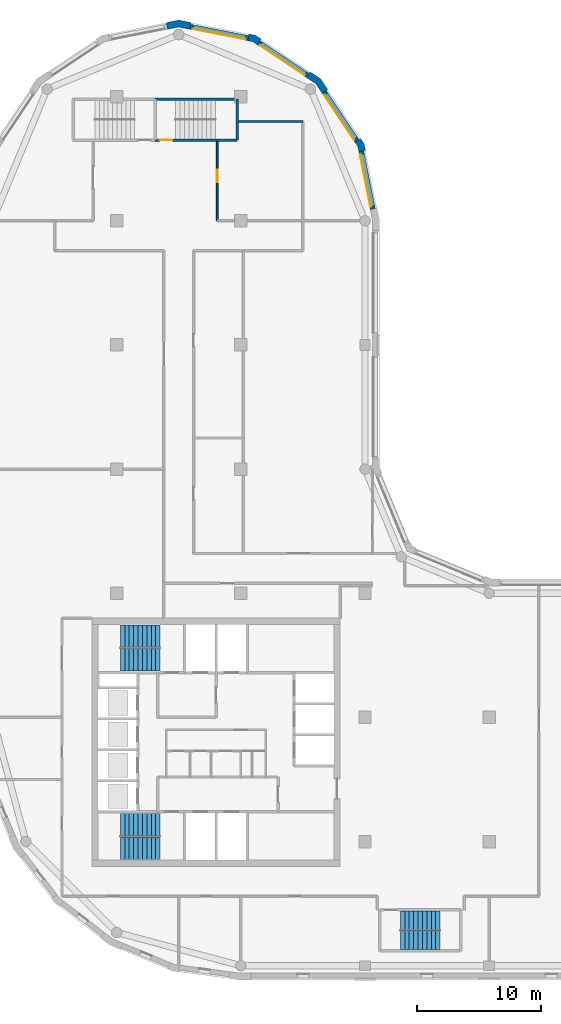
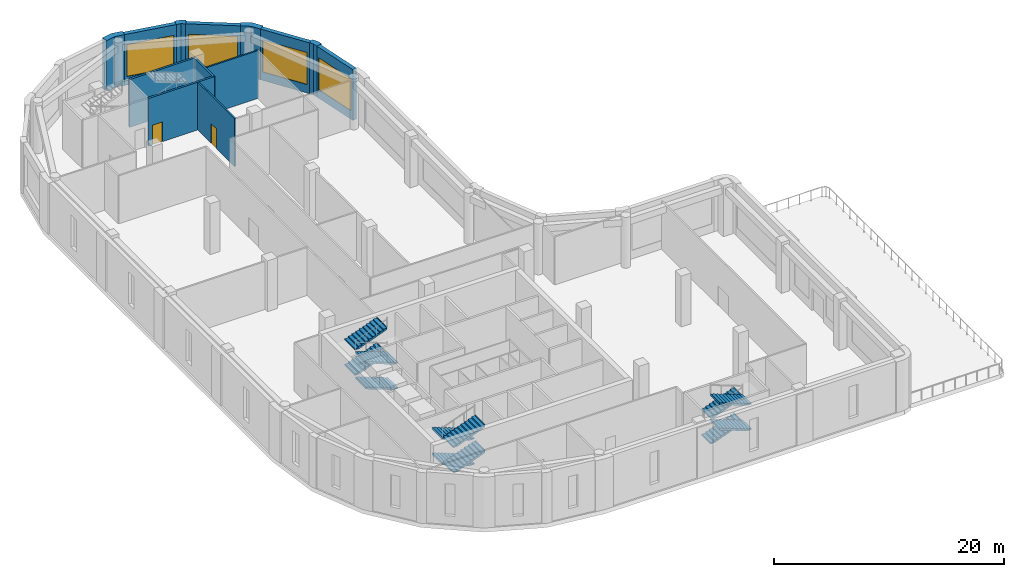
# One storey, part 6 of 9: 13 walls, 12 stair flights, 4 windows, 2 doors, 6 openings, 3 elements without a shape of their own.
"""IFC4 building model written with IfcOpenShell, lengths in metres."""

from ifc_helpers import new_model, si_unit, direction, frame, frame_2d, origin, place, context, subcontext, project, spatial, polyline, rectangle, outline, extrude, material, layer, layer_set, type_object, element, fill, aggregate, save


model = new_model("IFC4")

# Units and contexts
model_context = context("Model", 3, precision=1e-05, world=origin(), true_north=direction((0.0, 1.0)))
body_context = subcontext(model_context, "Body", "Model", "MODEL_VIEW")
ifc_project = project(units=[si_unit("LENGTHUNIT", "METRE"), si_unit("AREAUNIT", "SQUARE_METRE"), si_unit("VOLUMEUNIT", "CUBIC_METRE"), si_unit("PLANEANGLEUNIT", "RADIAN"), si_unit("MASSUNIT", "GRAM", prefix="KILO")], contexts=[model_context])

# Site, building, storey
site_placement = place(None, origin())
site = spatial("IfcSite", under=ifc_project, at=site_placement, CompositionType="ELEMENT")
building_placement = place(site_placement, origin())
building = spatial("IfcBuilding", under=site, at=building_placement, Name="Qaws Garden Tower", CompositionType="ELEMENT")
storey_placement = place(building_placement, frame((0.0, 0.0, 246.0)))
storey = spatial("IfcBuildingStorey", under=building, at=storey_placement, Name="L59", CompositionType="ELEMENT", Elevation=246.0)

# Wall, opening, window
ifc_material_1 = material(Name="Clay facing brick masonry", Category="masonry")
ifc_layer_1 = layer(ifc_material_1, 0.39990234375)
ifc_layer_set_1 = layer_set([ifc_layer_1], Name="Clay facing brick masonry")
wall_type_1 = type_object("IfcWallType", Name="Brick infill wall 400", PredefinedType="SOLIDWALL", material=ifc_layer_set_1)
wall_1_placement = place(storey_placement, frame((30.628662109375, 60.940673828125, 0.0), z_axis=(0.0, 0.0, 1.0), x_axis=(-0.195098533057, 0.98078364709, 0.0)))
wall_1 = element("IfcWall", 1, at=wall_1_placement, inside=storey, type_object=wall_type_1, Name="E-L59-infill-11", PredefinedType="SOLIDWALL", context=body_context, shape_type="SweptSolid", body=[
    extrude(rectangle(XDim=4.752685546875, YDim=0.39990234375, at=frame_2d((2.37646484375, 0.0))), origin(), (0.0, 0.0, 1.0), 5.39990234375),
])
opening_1_placement = place(wall_1_placement, frame((0.226318359375, 0.0, 0.89990234375)))
opening_1 = element("IfcOpeningElement", 2, at=opening_1_placement, cuts=wall_1, Name="Opening W07", PredefinedType="OPENING", context=body_context, shape_type="SweptSolid", body=[
    extrude(rectangle(XDim=4.300048828125, YDim=3.39990234375, at=frame_2d((2.14990234375, 1.699951171875))), frame((0.0, 0.2099609375, 0.0), z_axis=(0.0, -1.0, 0.0), x_axis=(1.0, 0.0, 0.0)), (0.0, 0.0, 1.0), 0.419921875),
])
ifc_material_2 = material(Name="Aluminium framed window, clear glazing", Category="aluminium")
window_type = type_object("IfcWindowType", Name="Ribbon window 4300 x 3400", PartitioningType="DOUBLE_PANEL_VERTICAL", PredefinedType="WINDOW", material=ifc_material_2)
window_1_placement = place(opening_1_placement, origin())
window_1 = element("IfcWindow", 3, at=window_1_placement, inside=storey, type_object=window_type, Name="E-L59-window-11-0", OverallHeight=3.39990234375, OverallWidth=4.300048828125, PartitioningType="SINGLE_PANEL", PredefinedType="WINDOW", context=body_context, shape_type="SweptSolid", body=[
    extrude(rectangle(XDim=4.300048828125, YDim=3.39990234375, at=frame_2d((2.14990234375, 1.699951171875))), frame((0.0, 0.159912109375, 0.0), z_axis=(0.0, -1.0, 0.0), x_axis=(1.0, 0.0, 0.0)), (0.0, 0.0, 1.0), 0.06005859375),
])
fill(opening_1, window_1)

wall_2_placement = place(storey_placement, frame((29.356689453125, 66.43408203125, 0.0), z_axis=(0.0, 0.0, 1.0), x_axis=(-0.555541552266, 0.831488775454, 0.0)))
wall_2 = element("IfcWall", 4, at=wall_2_placement, inside=storey, type_object=wall_type_1, Name="E-L59-infill-12", PredefinedType="SOLIDWALL", context=body_context, shape_type="SweptSolid", body=[
    extrude(rectangle(XDim=4.752685546875, YDim=0.39990234375, at=frame_2d((2.37646484375, 0.0))), origin(), (0.0, 0.0, 1.0), 5.39990234375),
])
opening_2_placement = place(wall_2_placement, frame((0.226318359375, 0.0, 0.89990234375)))
opening_2 = element("IfcOpeningElement", 5, at=opening_2_placement, cuts=wall_2, Name="Opening W07", PredefinedType="OPENING", context=body_context, shape_type="SweptSolid", body=[
    extrude(rectangle(XDim=4.300048828125, YDim=3.39990234375, at=frame_2d((2.14990234375, 1.699951171875))), frame((0.0, 0.2099609375, 0.0), z_axis=(0.0, -1.0, 0.0), x_axis=(1.0, 0.0, 0.0)), (0.0, 0.0, 1.0), 0.419921875),
])
window_2_placement = place(opening_2_placement, origin())
window_2 = element("IfcWindow", 6, at=window_2_placement, inside=storey, type_object=window_type, Name="E-L59-window-12-0", OverallHeight=3.39990234375, OverallWidth=4.300048828125, PartitioningType="SINGLE_PANEL", PredefinedType="WINDOW", context=body_context, shape_type="SweptSolid", body=[
    extrude(rectangle(XDim=4.300048828125, YDim=3.39990234375, at=frame_2d((2.14990234375, 1.699951171875))), frame((0.0, 0.159912109375, 0.0), z_axis=(0.0, -1.0, 0.0), x_axis=(1.0, 0.0, 0.0)), (0.0, 0.0, 1.0), 0.06005859375),
])
fill(opening_2, window_2)

wall_3_placement = place(storey_placement, frame((25.385986328125, 71.71630859375, 0.0), z_axis=(0.0, 0.0, 1.0), x_axis=(-0.831488775454, 0.555541552266, 0.0)))
wall_3 = element("IfcWall", 7, at=wall_3_placement, inside=storey, type_object=wall_type_1, Name="E-L59-infill-13", PredefinedType="SOLIDWALL", context=body_context, shape_type="SweptSolid", body=[
    extrude(rectangle(XDim=4.752685546875, YDim=0.39990234375, at=frame_2d((2.37646484375, 0.0))), origin(), (0.0, 0.0, 1.0), 5.39990234375),
])
opening_3_placement = place(wall_3_placement, frame((0.226318359375, 0.0, 0.89990234375)))
opening_3 = element("IfcOpeningElement", 8, at=opening_3_placement, cuts=wall_3, Name="Opening W07", PredefinedType="OPENING", context=body_context, shape_type="SweptSolid", body=[
    extrude(rectangle(XDim=4.300048828125, YDim=3.39990234375, at=frame_2d((2.14990234375, 1.699951171875))), frame((0.0, 0.2099609375, 0.0), z_axis=(0.0, -1.0, 0.0), x_axis=(1.0, 0.0, 0.0)), (0.0, 0.0, 1.0), 0.419921875),
])
window_3_placement = place(opening_3_placement, origin())
window_3 = element("IfcWindow", 9, at=window_3_placement, inside=storey, type_object=window_type, Name="E-L59-window-13-0", OverallHeight=3.39990234375, OverallWidth=4.300048828125, PartitioningType="SINGLE_PANEL", PredefinedType="WINDOW", context=body_context, shape_type="SweptSolid", body=[
    extrude(rectangle(XDim=4.300048828125, YDim=3.39990234375, at=frame_2d((2.14990234375, 1.699951171875))), frame((0.0, 0.159912109375, 0.0), z_axis=(0.0, -1.0, 0.0), x_axis=(1.0, 0.0, 0.0)), (0.0, 0.0, 1.0), 0.06005859375),
])
fill(opening_3, window_3)

wall_4_placement = place(storey_placement, frame((20.60205078125, 74.701416015625, 0.0), z_axis=(0.0, 0.0, 1.0), x_axis=(-0.98078364709, 0.195098533057, 0.0)))
wall_4 = element("IfcWall", 10, at=wall_4_placement, inside=storey, type_object=wall_type_1, Name="E-L59-infill-14", PredefinedType="SOLIDWALL", context=body_context, shape_type="SweptSolid", body=[
    extrude(rectangle(XDim=4.752685546875, YDim=0.39990234375, at=frame_2d((2.37646484375, 0.0))), origin(), (0.0, 0.0, 1.0), 5.39990234375),
])
opening_4_placement = place(wall_4_placement, frame((0.226318359375, 0.0, 0.89990234375)))
opening_4 = element("IfcOpeningElement", 11, at=opening_4_placement, cuts=wall_4, Name="Opening W07", PredefinedType="OPENING", context=body_context, shape_type="SweptSolid", body=[
    extrude(rectangle(XDim=4.300048828125, YDim=3.39990234375, at=frame_2d((2.14990234375, 1.699951171875))), frame((0.0, 0.2099609375, 0.0), z_axis=(0.0, -1.0, 0.0), x_axis=(1.0, 0.0, 0.0)), (0.0, 0.0, 1.0), 0.419921875),
])
window_4_placement = place(opening_4_placement, origin())
window_4 = element("IfcWindow", 12, at=window_4_placement, inside=storey, type_object=window_type, Name="E-L59-window-14-0", OverallHeight=3.39990234375, OverallWidth=4.300048828125, PartitioningType="SINGLE_PANEL", PredefinedType="WINDOW", context=body_context, shape_type="SweptSolid", body=[
    extrude(rectangle(XDim=4.300048828125, YDim=3.39990234375, at=frame_2d((2.14990234375, 1.699951171875))), frame((0.0, 0.159912109375, 0.0), z_axis=(0.0, -1.0, 0.0), x_axis=(1.0, 0.0, 0.0)), (0.0, 0.0, 1.0), 0.06005859375),
])
fill(opening_4, window_4)

# Walls
ifc_material_3 = material(Name="Clay facing brick masonry", Category="masonry")
ifc_layer_2 = layer(ifc_material_3, 0.550048828125)
ifc_layer_set_2 = layer_set([ifc_layer_2], Name="Clay facing brick masonry")
wall_type_2 = type_object("IfcWallType", Name="Brick kink pier 550 x 600", PredefinedType="SOLIDWALL", material=ifc_layer_set_2)
placement = place(storey_placement, origin())
element("IfcWall", 13, at=placement, inside=storey, type_object=wall_type_2, Name="E-L59-pier-12", PredefinedType="SOLIDWALL", context=body_context, shape_type="SweptSolid", body=[
    extrude(outline(polyline([(29.8974609375, 65.64111328125), (30.044677734375, 65.67041015625), (29.94140625, 66.18896484375), (29.647705078125, 66.628662109375), (29.52294921875, 66.545166015625), (29.1904296875, 66.322998046875), (29.42333984375, 65.974365234375), (29.505126953125, 65.56298828125), (29.8974609375, 65.64111328125)])), origin(), (0.0, 0.0, 1.0), 5.39990234375),
])
element("IfcWall", 14, at=placement, inside=storey, type_object=wall_type_2, Name="E-L59-pier-14", PredefinedType="SOLIDWALL", context=body_context, shape_type="SweptSolid", body=[
    extrude(outline(polyline([(21.545166015625, 74.52294921875), (21.628662109375, 74.647705078125), (21.18896484375, 74.94140625), (20.67041015625, 75.044677734375), (20.64111328125, 74.8974609375), (20.56298828125, 74.505126953125), (20.974365234375, 74.42333984375), (21.322998046875, 74.1904296875), (21.545166015625, 74.52294921875)])), origin(), (0.0, 0.0, 1.0), 5.39990234375),
])
ifc_material_4 = material(Name="Clay facing brick masonry", Category="masonry")
ifc_layer_3 = layer(ifc_material_4, 0.550048828125)
ifc_layer_set_3 = layer_set([ifc_layer_3], Name="Clay facing brick masonry")
wall_type_3 = type_object("IfcWallType", Name="Brick pier 550 x 1600", PredefinedType="SOLIDWALL", material=ifc_layer_set_3)
element("IfcWall", 15, at=placement, inside=storey, type_object=wall_type_3, Name="E-L59-pier-13", PredefinedType="SOLIDWALL", context=body_context, shape_type="SweptSolid", body=[
    extrude(outline(polyline([(26.882568359375, 70.4970703125), (27.00732421875, 70.580322265625), (26.435791015625, 71.435791015625), (25.580322265625, 72.00732421875), (25.4970703125, 71.882568359375), (25.274658203125, 71.550048828125), (26.0390625, 71.0390625), (26.550048828125, 70.274658203125), (26.882568359375, 70.4970703125)])), origin(), (0.0, 0.0, 1.0), 5.39990234375),
])
element("IfcWall", 16, at=placement, inside=storey, type_object=wall_type_3, Name="E-L59-pier-15", PredefinedType="SOLIDWALL", context=body_context, shape_type="SweptSolid", body=[
    extrude(outline(polyline([(15.979736328125, 75.82470703125), (16.009033203125, 75.971923828125), (15.0, 76.172607421875), (13.990966796875, 75.971923828125), (14.020263671875, 75.82470703125), (14.098388671875, 75.432373046875), (15.0, 75.61181640625), (15.901611328125, 75.432373046875), (15.979736328125, 75.82470703125)])), origin(), (0.0, 0.0, 1.0), 5.39990234375),
])

# Wall, opening, door
ifc_material_5 = material(Name="Concrete C60", Category="concrete")
ifc_layer_4 = layer(ifc_material_5, 0.199951171875)
ifc_layer_set_4 = layer_set([ifc_layer_4], Name="Concrete C60")
wall_type_4 = type_object("IfcWallType", Name="Core shaft wall 200 C60", PredefinedType="SHEAR", material=ifc_layer_set_4)
wall_9_placement = place(storey_placement, frame((13.10009765625, 66.5, 0.0), z_axis=(0.0, 0.0, 1.0), x_axis=(1.0, 0.0, 0.0)))
wall_9 = element("IfcWall", 17, at=wall_9_placement, inside=storey, type_object=wall_type_4, Name="Shaft wall", PredefinedType="SHEAR", context=body_context, shape_type="SweptSolid", body=[
    extrude(rectangle(XDim=6.599853515625, YDim=0.199951171875, at=frame_2d((3.2998046875, 0.0))), origin(), (0.0, 0.0, 1.0), 5.080078125),
])
opening_5_placement = place(wall_9_placement, frame((0.375, 0.0, 0.0)))
opening_5 = element("IfcOpeningElement", 18, at=opening_5_placement, cuts=wall_9, Name="Opening SD16", PredefinedType="OPENING", context=body_context, shape_type="SweptSolid", body=[
    extrude(rectangle(XDim=1.0, YDim=2.10009765625, at=frame_2d((0.5, 1.050048828125))), frame((0.0, 0.10986328125, 0.0), z_axis=(0.0, -1.0, 0.0), x_axis=(1.0, 0.0, 0.0)), (0.0, 0.0, 1.0), 0.219970703125),
])
ifc_material_6 = material(Name="Steel S235", Category="steel")
door_type_1 = type_object("IfcDoorType", Name="Stair door 1000x2100", OperationType="SINGLE_SWING_RIGHT", PredefinedType="DOOR", material=ifc_material_6)
door_1_placement = place(opening_5_placement, origin())
door_1 = element("IfcDoor", 19, at=door_1_placement, inside=storey, type_object=door_type_1, Name="Stair 7 door", OperationType="SINGLE_SWING_LEFT", OverallHeight=2.10009765625, OverallWidth=1.0, PredefinedType="DOOR", context=body_context, shape_type="SweptSolid", body=[
    extrude(rectangle(XDim=1.0, YDim=2.10009765625, at=frame_2d((0.5, 1.050048828125))), frame((0.0, 0.02490234375, 0.0), z_axis=(0.0, -1.0, 0.0), x_axis=(1.0, 0.0, 0.0)), (0.0, 0.0, 1.0), 0.050048828125),
])
fill(opening_5, door_1)

# Walls
wall_10_placement = place(storey_placement, frame((13.10009765625, 69.800048828125, 0.0), z_axis=(0.0, 0.0, 1.0), x_axis=(1.0, 0.0, 0.0)))
element("IfcWall", 20, at=wall_10_placement, inside=storey, type_object=wall_type_4, Name="Shaft wall", PredefinedType="SHEAR", context=body_context, shape_type="SweptSolid", body=[
    extrude(rectangle(XDim=6.599853515625, YDim=0.199951171875, at=frame_2d((3.2998046875, 0.0))), origin(), (0.0, 0.0, 1.0), 5.080078125),
])
wall_11_placement = place(storey_placement, frame((19.699951171875, 66.5, 0.0), z_axis=(0.0, 0.0, 1.0), x_axis=(0.0, 1.0, 0.0)))
element("IfcWall", 21, at=wall_11_placement, inside=storey, type_object=wall_type_4, Name="Shaft wall", PredefinedType="SHEAR", context=body_context, shape_type="SweptSolid", body=[
    extrude(rectangle(XDim=3.300048828125, YDim=0.199951171875, at=frame_2d((1.64990234375, 0.0))), origin(), (0.0, 0.0, 1.0), 5.080078125),
])

# Wall, opening, door
ifc_material_7 = material(Name="Gypsum board partition")
ifc_layer_5 = layer(ifc_material_7, 0.14990234375)
ifc_layer_set_5 = layer_set([ifc_layer_5], Name="Gypsum board partition")
wall_type_5 = type_object("IfcWallType", Name="PARTITION 150 EI 60", PredefinedType="PARTITIONING", material=ifc_layer_set_5)
wall_12_placement = place(storey_placement, frame((18.10009765625, 60.0, 0.0), z_axis=(0.0, 0.0, 1.0), x_axis=(0.0, 1.0, 0.0)))
wall_12 = element("IfcWall", 22, at=wall_12_placement, inside=storey, type_object=wall_type_5, Name="O-L59-wall-008", PredefinedType="PARTITIONING", context=body_context, shape_type="SweptSolid", body=[
    extrude(rectangle(XDim=6.39990234375, YDim=0.14990234375, at=frame_2d((3.199951171875, 0.0))), origin(), (0.0, 0.0, 1.0), 5.080078125),
])
opening_6_placement = place(wall_12_placement, frame((3.10009765625, 0.0, 0.0)))
opening_6 = element("IfcOpeningElement", 23, at=opening_6_placement, cuts=wall_12, Name="Opening S205", PredefinedType="OPENING", context=body_context, shape_type="SweptSolid", body=[
    extrude(rectangle(XDim=1.0, YDim=2.10009765625, at=frame_2d((0.5, 1.050048828125))), frame((0.0, 0.0849609375, 0.0), z_axis=(0.0, -1.0, 0.0), x_axis=(1.0, 0.0, 0.0)), (0.0, 0.0, 1.0), 0.169921875),
])
ifc_material_8 = material(Name="Timber door leaf", Category="wood")
door_type_2 = type_object("IfcDoorType", Name="TENANCY ENTRANCE DOOR 1000 X 2100", OperationType="SINGLE_SWING_LEFT", PredefinedType="DOOR", material=ifc_material_8)
door_2_placement = place(opening_6_placement, frame((1.0, 0.0, 0.0), z_axis=(0.0, 0.0, 1.0), x_axis=(-1.0, 0.0, 0.0)))
door_2 = element("IfcDoor", 24, at=door_2_placement, inside=storey, type_object=door_type_2, Name="O-L59-door-005", OperationType="SINGLE_SWING_RIGHT", OverallHeight=2.10009765625, OverallWidth=1.0, PredefinedType="DOOR", context=body_context, shape_type="SweptSolid", body=[
    extrude(rectangle(XDim=1.0, YDim=2.10009765625, at=frame_2d((0.5, 1.050048828125))), frame((0.0, 0.02490234375, 0.0), z_axis=(0.0, -1.0, 0.0), x_axis=(1.0, 0.0, 0.0)), (0.0, 0.0, 1.0), 0.050048828125),
])
fill(opening_6, door_2)

# Wall
wall_13_placement = place(storey_placement, frame((19.800048828125, 68.0, 0.0), z_axis=(0.0, 0.0, 1.0), x_axis=(1.0, 0.0, 0.0)))
element("IfcWall", 25, at=wall_13_placement, inside=storey, type_object=wall_type_5, Name="O-L59-wall-037", PredefinedType="PARTITIONING", context=body_context, shape_type="SweptSolid", body=[
    extrude(rectangle(XDim=5.199951171875, YDim=0.14990234375, at=frame_2d((2.60009765625, 0.0))), origin(), (0.0, 0.0, 1.0), 5.080078125),
])

# Stair, stair flights
ifc_material_9 = material(Name="Concrete C40", Category="concrete")
stair_type_1 = type_object("IfcStairType", Name="Exit stair 1350", PredefinedType="HALF_TURN_STAIR", material=ifc_material_9)
stair_1 = element("IfcStair", 26, at=placement, inside=storey, type_object=stair_type_1, Name="Stair 5", PredefinedType="HALF_TURN_STAIR")
ifc_material_10 = material(Name="Concrete C40", Category="concrete")
stair_flight_type_1 = type_object("IfcStairFlightType", Name="Stair flight 1350", PredefinedType="STRAIGHT", material=ifc_material_10)
stair_flight_1_placement = place(storey_placement, frame((32.85009765625, 3.625, 0.0), z_axis=(0.0, 0.0, 1.0), x_axis=(1.0, 0.0, 0.0)))
stair_flight_1 = element("IfcStairFlight", 27, at=stair_flight_1_placement, type_object=stair_flight_type_1, Name="ST5 flight 1", NumberOfRisers=10, NumberOfTreads=9, PredefinedType="STRAIGHT", RiserHeight=0.135, TreadLength=0.356, context=body_context, shape_type="SweptSolid", body=[
    extrude(outline(polyline([(-0.0029296875, 0.0), (-0.0029296875, 0.135009765625), (0.0, 0.135009765625), (0.35595703125, 0.135009765625), (0.35595703125, 0.27001953125), (0.7119140625, 0.27001953125), (0.7119140625, 0.405029296875), (1.068115234375, 0.405029296875), (1.068115234375, 0.5400390625), (1.424072265625, 0.5400390625), (1.424072265625, 0.675048828125), (1.780029296875, 0.675048828125), (1.780029296875, 0.81005859375), (2.135986328125, 0.81005859375), (2.135986328125, 0.945068359375), (2.491943359375, 0.945068359375), (2.491943359375, 1.080078125), (2.847900390625, 1.080078125), (2.847900390625, 1.215087890625), (3.2041015625, 1.215087890625), (3.2041015625, 1.35009765625), (3.20703125, 1.35009765625), (3.20703125, 1.0546875), (3.2041015625, 1.0546875), (0.4228515625, 0.0), (-0.0029296875, 0.0)])), frame((0.0, 0.77001953125, 0.0), z_axis=(0.0, -1.0, 0.0), x_axis=(1.0, 0.0, 0.0)), (0.0, 0.0, 1.0), 1.5400390625),
])
stair_flight_2_placement = place(storey_placement, frame((36.053955078125, 2.074951171875, 1.35009765625), z_axis=(0.0, 0.0, 1.0), x_axis=(-1.0, 0.0, 0.0)))
stair_flight_2 = element("IfcStairFlight", 28, at=stair_flight_2_placement, type_object=stair_flight_type_1, Name="ST5 flight 2", NumberOfRisers=10, NumberOfTreads=9, PredefinedType="STRAIGHT", RiserHeight=0.135, TreadLength=0.356, context=body_context, shape_type="SweptSolid", body=[
    extrude(outline(polyline([(-0.0029296875, 0.0), (-0.0029296875, 0.135009765625), (0.0, 0.135009765625), (0.35595703125, 0.135009765625), (0.35595703125, 0.27001953125), (0.7119140625, 0.27001953125), (0.7119140625, 0.405029296875), (1.068115234375, 0.405029296875), (1.068115234375, 0.5400390625), (1.424072265625, 0.5400390625), (1.424072265625, 0.675048828125), (1.780029296875, 0.675048828125), (1.780029296875, 0.81005859375), (2.135986328125, 0.81005859375), (2.135986328125, 0.945068359375), (2.491943359375, 0.945068359375), (2.491943359375, 1.080078125), (2.847900390625, 1.080078125), (2.847900390625, 1.215087890625), (3.2041015625, 1.215087890625), (3.2041015625, 1.35009765625), (3.20703125, 1.35009765625), (3.20703125, 1.0546875), (3.2041015625, 1.0546875), (0.4228515625, 0.0), (-0.0029296875, 0.0)])), frame((0.0, 0.77001953125, 0.0), z_axis=(0.0, -1.0, 0.0), x_axis=(1.0, 0.0, 0.0)), (0.0, 0.0, 1.0), 1.5400390625),
])
stair_flight_3_placement = place(storey_placement, frame((32.85009765625, 3.625, 2.699951171875), z_axis=(0.0, 0.0, 1.0), x_axis=(1.0, 0.0, 0.0)))
stair_flight_3 = element("IfcStairFlight", 29, at=stair_flight_3_placement, type_object=stair_flight_type_1, Name="ST5 flight 3", NumberOfRisers=10, NumberOfTreads=9, PredefinedType="STRAIGHT", RiserHeight=0.135, TreadLength=0.356, context=body_context, shape_type="SweptSolid", body=[
    extrude(outline(polyline([(-0.0029296875, 0.0), (-0.0029296875, 0.135009765625), (0.0, 0.135009765625), (0.35595703125, 0.135009765625), (0.35595703125, 0.27001953125), (0.7119140625, 0.27001953125), (0.7119140625, 0.405029296875), (1.068115234375, 0.405029296875), (1.068115234375, 0.5400390625), (1.424072265625, 0.5400390625), (1.424072265625, 0.675048828125), (1.780029296875, 0.675048828125), (1.780029296875, 0.81005859375), (2.135986328125, 0.81005859375), (2.135986328125, 0.945068359375), (2.491943359375, 0.945068359375), (2.491943359375, 1.080078125), (2.847900390625, 1.080078125), (2.847900390625, 1.215087890625), (3.2041015625, 1.215087890625), (3.2041015625, 1.35009765625), (3.20703125, 1.35009765625), (3.20703125, 1.0546875), (3.2041015625, 1.0546875), (0.4228515625, 0.0), (-0.0029296875, 0.0)])), frame((0.0, 0.77001953125, 0.0), z_axis=(0.0, -1.0, 0.0), x_axis=(1.0, 0.0, 0.0)), (0.0, 0.0, 1.0), 1.5400390625),
])
stair_flight_4_placement = place(storey_placement, frame((36.053955078125, 2.074951171875, 4.050048828125), z_axis=(0.0, 0.0, 1.0), x_axis=(-1.0, 0.0, 0.0)))
stair_flight_4 = element("IfcStairFlight", 30, at=stair_flight_4_placement, type_object=stair_flight_type_1, Name="ST5 flight 4", NumberOfRisers=10, NumberOfTreads=9, PredefinedType="STRAIGHT", RiserHeight=0.135, TreadLength=0.356, context=body_context, shape_type="SweptSolid", body=[
    extrude(outline(polyline([(-0.0029296875, 0.0), (-0.0029296875, 0.135009765625), (0.0, 0.135009765625), (0.35595703125, 0.135009765625), (0.35595703125, 0.27001953125), (0.7119140625, 0.27001953125), (0.7119140625, 0.405029296875), (1.068115234375, 0.405029296875), (1.068115234375, 0.5400390625), (1.424072265625, 0.5400390625), (1.424072265625, 0.675048828125), (1.780029296875, 0.675048828125), (1.780029296875, 0.81005859375), (2.135986328125, 0.81005859375), (2.135986328125, 0.945068359375), (2.491943359375, 0.945068359375), (2.491943359375, 1.080078125), (2.847900390625, 1.080078125), (2.847900390625, 1.215087890625), (3.2041015625, 1.215087890625), (3.2041015625, 1.35009765625), (3.20703125, 1.35009765625), (3.20703125, 1.0546875), (3.2041015625, 1.0546875), (0.4228515625, 0.0), (-0.0029296875, 0.0)])), frame((0.0, 0.77001953125, 0.0), z_axis=(0.0, -1.0, 0.0), x_axis=(1.0, 0.0, 0.0)), (0.0, 0.0, 1.0), 1.5400390625),
])
aggregate(stair_1, [stair_flight_1, stair_flight_2, stair_flight_3, stair_flight_4])

ifc_material_11 = material(Name="Concrete C40", Category="concrete")
stair_type_2 = type_object("IfcStairType", Name="Exit stair 1500", PredefinedType="HALF_TURN_STAIR", material=ifc_material_11)
stair_2 = element("IfcStair", 31, at=placement, inside=storey, type_object=stair_type_2, Name="Stair 1", PredefinedType="HALF_TURN_STAIR")
ifc_material_12 = material(Name="Concrete C40", Category="concrete")
stair_flight_type_2 = type_object("IfcStairFlightType", Name="Stair flight 1500", PredefinedType="STRAIGHT", material=ifc_material_12)
stair_flight_5_placement = place(storey_placement, frame((13.5, 11.35009765625, 0.0), z_axis=(0.0, 0.0, 1.0), x_axis=(-1.0, 0.0, 0.0)))
stair_flight_5 = element("IfcStairFlight", 32, at=stair_flight_5_placement, type_object=stair_flight_type_2, Name="ST1 flight 1", NumberOfRisers=10, NumberOfTreads=9, PredefinedType="STRAIGHT", RiserHeight=0.135, TreadLength=0.356, context=body_context, shape_type="SweptSolid", body=[
    extrude(outline(polyline([(-0.0029296875, 0.0), (-0.0029296875, 0.135009765625), (0.0, 0.135009765625), (0.35595703125, 0.135009765625), (0.35595703125, 0.27001953125), (0.7119140625, 0.27001953125), (0.7119140625, 0.405029296875), (1.068115234375, 0.405029296875), (1.068115234375, 0.5400390625), (1.424072265625, 0.5400390625), (1.424072265625, 0.675048828125), (1.780029296875, 0.675048828125), (1.780029296875, 0.81005859375), (2.135986328125, 0.81005859375), (2.135986328125, 0.945068359375), (2.491943359375, 0.945068359375), (2.491943359375, 1.080078125), (2.847900390625, 1.080078125), (2.847900390625, 1.215087890625), (3.2041015625, 1.215087890625), (3.2041015625, 1.35009765625), (3.20703125, 1.35009765625), (3.20703125, 1.0546875), (3.2041015625, 1.0546875), (0.4228515625, 0.0), (-0.0029296875, 0.0)])), frame((0.0, 0.89501953125, 0.0), z_axis=(0.0, -1.0, 0.0), x_axis=(1.0, 0.0, 0.0)), (0.0, 0.0, 1.0), 1.7900390625),
])
stair_flight_6_placement = place(storey_placement, frame((10.2958984375, 9.449951171875, 1.35009765625), z_axis=(0.0, 0.0, 1.0), x_axis=(1.0, 0.0, 0.0)))
stair_flight_6 = element("IfcStairFlight", 33, at=stair_flight_6_placement, type_object=stair_flight_type_2, Name="ST1 flight 2", NumberOfRisers=10, NumberOfTreads=9, PredefinedType="STRAIGHT", RiserHeight=0.135, TreadLength=0.356, context=body_context, shape_type="SweptSolid", body=[
    extrude(outline(polyline([(-0.0029296875, 0.0), (-0.0029296875, 0.135009765625), (0.0, 0.135009765625), (0.35595703125, 0.135009765625), (0.35595703125, 0.27001953125), (0.7119140625, 0.27001953125), (0.7119140625, 0.405029296875), (1.068115234375, 0.405029296875), (1.068115234375, 0.5400390625), (1.424072265625, 0.5400390625), (1.424072265625, 0.675048828125), (1.780029296875, 0.675048828125), (1.780029296875, 0.81005859375), (2.135986328125, 0.81005859375), (2.135986328125, 0.945068359375), (2.491943359375, 0.945068359375), (2.491943359375, 1.080078125), (2.847900390625, 1.080078125), (2.847900390625, 1.215087890625), (3.2041015625, 1.215087890625), (3.2041015625, 1.35009765625), (3.20703125, 1.35009765625), (3.20703125, 1.0546875), (3.2041015625, 1.0546875), (0.4228515625, 0.0), (-0.0029296875, 0.0)])), frame((0.0, 0.89501953125, 0.0), z_axis=(0.0, -1.0, 0.0), x_axis=(1.0, 0.0, 0.0)), (0.0, 0.0, 1.0), 1.7900390625),
])
stair_flight_7_placement = place(storey_placement, frame((13.5, 11.35009765625, 2.699951171875), z_axis=(0.0, 0.0, 1.0), x_axis=(-1.0, 0.0, 0.0)))
stair_flight_7 = element("IfcStairFlight", 34, at=stair_flight_7_placement, type_object=stair_flight_type_2, Name="ST1 flight 3", NumberOfRisers=10, NumberOfTreads=9, PredefinedType="STRAIGHT", RiserHeight=0.135, TreadLength=0.356, context=body_context, shape_type="SweptSolid", body=[
    extrude(outline(polyline([(-0.0029296875, 0.0), (-0.0029296875, 0.135009765625), (0.0, 0.135009765625), (0.35595703125, 0.135009765625), (0.35595703125, 0.27001953125), (0.7119140625, 0.27001953125), (0.7119140625, 0.405029296875), (1.068115234375, 0.405029296875), (1.068115234375, 0.5400390625), (1.424072265625, 0.5400390625), (1.424072265625, 0.675048828125), (1.780029296875, 0.675048828125), (1.780029296875, 0.81005859375), (2.135986328125, 0.81005859375), (2.135986328125, 0.945068359375), (2.491943359375, 0.945068359375), (2.491943359375, 1.080078125), (2.847900390625, 1.080078125), (2.847900390625, 1.215087890625), (3.2041015625, 1.215087890625), (3.2041015625, 1.35009765625), (3.20703125, 1.35009765625), (3.20703125, 1.0546875), (3.2041015625, 1.0546875), (0.4228515625, 0.0), (-0.0029296875, 0.0)])), frame((0.0, 0.89501953125, 0.0), z_axis=(0.0, -1.0, 0.0), x_axis=(1.0, 0.0, 0.0)), (0.0, 0.0, 1.0), 1.7900390625),
])
stair_flight_8_placement = place(storey_placement, frame((10.2958984375, 9.449951171875, 4.050048828125), z_axis=(0.0, 0.0, 1.0), x_axis=(1.0, 0.0, 0.0)))
stair_flight_8 = element("IfcStairFlight", 35, at=stair_flight_8_placement, type_object=stair_flight_type_2, Name="ST1 flight 4", NumberOfRisers=10, NumberOfTreads=9, PredefinedType="STRAIGHT", RiserHeight=0.135, TreadLength=0.356, context=body_context, shape_type="SweptSolid", body=[
    extrude(outline(polyline([(-0.0029296875, 0.0), (-0.0029296875, 0.135009765625), (0.0, 0.135009765625), (0.35595703125, 0.135009765625), (0.35595703125, 0.27001953125), (0.7119140625, 0.27001953125), (0.7119140625, 0.405029296875), (1.068115234375, 0.405029296875), (1.068115234375, 0.5400390625), (1.424072265625, 0.5400390625), (1.424072265625, 0.675048828125), (1.780029296875, 0.675048828125), (1.780029296875, 0.81005859375), (2.135986328125, 0.81005859375), (2.135986328125, 0.945068359375), (2.491943359375, 0.945068359375), (2.491943359375, 1.080078125), (2.847900390625, 1.080078125), (2.847900390625, 1.215087890625), (3.2041015625, 1.215087890625), (3.2041015625, 1.35009765625), (3.20703125, 1.35009765625), (3.20703125, 1.0546875), (3.2041015625, 1.0546875), (0.4228515625, 0.0), (-0.0029296875, 0.0)])), frame((0.0, 0.89501953125, 0.0), z_axis=(0.0, -1.0, 0.0), x_axis=(1.0, 0.0, 0.0)), (0.0, 0.0, 1.0), 1.7900390625),
])
aggregate(stair_2, [stair_flight_5, stair_flight_6, stair_flight_7, stair_flight_8])

stair_3 = element("IfcStair", 36, at=placement, inside=storey, type_object=stair_type_2, Name="Stair 4", PredefinedType="HALF_TURN_STAIR")
stair_flight_9_placement = place(storey_placement, frame((13.5, 24.64990234375, 0.0), z_axis=(0.0, 0.0, 1.0), x_axis=(-1.0, 0.0, 0.0)))
stair_flight_9 = element("IfcStairFlight", 37, at=stair_flight_9_placement, type_object=stair_flight_type_2, Name="ST4 flight 1", NumberOfRisers=10, NumberOfTreads=9, PredefinedType="STRAIGHT", RiserHeight=0.135, TreadLength=0.356, context=body_context, shape_type="SweptSolid", body=[
    extrude(outline(polyline([(-0.0029296875, 0.0), (-0.0029296875, 0.135009765625), (0.0, 0.135009765625), (0.35595703125, 0.135009765625), (0.35595703125, 0.27001953125), (0.7119140625, 0.27001953125), (0.7119140625, 0.405029296875), (1.068115234375, 0.405029296875), (1.068115234375, 0.5400390625), (1.424072265625, 0.5400390625), (1.424072265625, 0.675048828125), (1.780029296875, 0.675048828125), (1.780029296875, 0.81005859375), (2.135986328125, 0.81005859375), (2.135986328125, 0.945068359375), (2.491943359375, 0.945068359375), (2.491943359375, 1.080078125), (2.847900390625, 1.080078125), (2.847900390625, 1.215087890625), (3.2041015625, 1.215087890625), (3.2041015625, 1.35009765625), (3.20703125, 1.35009765625), (3.20703125, 1.0546875), (3.2041015625, 1.0546875), (0.4228515625, 0.0), (-0.0029296875, 0.0)])), frame((0.0, 0.89501953125, 0.0), z_axis=(0.0, -1.0, 0.0), x_axis=(1.0, 0.0, 0.0)), (0.0, 0.0, 1.0), 1.7900390625),
])
stair_flight_10_placement = place(storey_placement, frame((10.2958984375, 26.550048828125, 1.35009765625), z_axis=(0.0, 0.0, 1.0), x_axis=(1.0, 0.0, 0.0)))
stair_flight_10 = element("IfcStairFlight", 38, at=stair_flight_10_placement, type_object=stair_flight_type_2, Name="ST4 flight 2", NumberOfRisers=10, NumberOfTreads=9, PredefinedType="STRAIGHT", RiserHeight=0.135, TreadLength=0.356, context=body_context, shape_type="SweptSolid", body=[
    extrude(outline(polyline([(-0.0029296875, 0.0), (-0.0029296875, 0.135009765625), (0.0, 0.135009765625), (0.35595703125, 0.135009765625), (0.35595703125, 0.27001953125), (0.7119140625, 0.27001953125), (0.7119140625, 0.405029296875), (1.068115234375, 0.405029296875), (1.068115234375, 0.5400390625), (1.424072265625, 0.5400390625), (1.424072265625, 0.675048828125), (1.780029296875, 0.675048828125), (1.780029296875, 0.81005859375), (2.135986328125, 0.81005859375), (2.135986328125, 0.945068359375), (2.491943359375, 0.945068359375), (2.491943359375, 1.080078125), (2.847900390625, 1.080078125), (2.847900390625, 1.215087890625), (3.2041015625, 1.215087890625), (3.2041015625, 1.35009765625), (3.20703125, 1.35009765625), (3.20703125, 1.0546875), (3.2041015625, 1.0546875), (0.4228515625, 0.0), (-0.0029296875, 0.0)])), frame((0.0, 0.89501953125, 0.0), z_axis=(0.0, -1.0, 0.0), x_axis=(1.0, 0.0, 0.0)), (0.0, 0.0, 1.0), 1.7900390625),
])
stair_flight_11_placement = place(storey_placement, frame((13.5, 24.64990234375, 2.699951171875), z_axis=(0.0, 0.0, 1.0), x_axis=(-1.0, 0.0, 0.0)))
stair_flight_11 = element("IfcStairFlight", 39, at=stair_flight_11_placement, type_object=stair_flight_type_2, Name="ST4 flight 3", NumberOfRisers=10, NumberOfTreads=9, PredefinedType="STRAIGHT", RiserHeight=0.135, TreadLength=0.356, context=body_context, shape_type="SweptSolid", body=[
    extrude(outline(polyline([(-0.0029296875, 0.0), (-0.0029296875, 0.135009765625), (0.0, 0.135009765625), (0.35595703125, 0.135009765625), (0.35595703125, 0.27001953125), (0.7119140625, 0.27001953125), (0.7119140625, 0.405029296875), (1.068115234375, 0.405029296875), (1.068115234375, 0.5400390625), (1.424072265625, 0.5400390625), (1.424072265625, 0.675048828125), (1.780029296875, 0.675048828125), (1.780029296875, 0.81005859375), (2.135986328125, 0.81005859375), (2.135986328125, 0.945068359375), (2.491943359375, 0.945068359375), (2.491943359375, 1.080078125), (2.847900390625, 1.080078125), (2.847900390625, 1.215087890625), (3.2041015625, 1.215087890625), (3.2041015625, 1.35009765625), (3.20703125, 1.35009765625), (3.20703125, 1.0546875), (3.2041015625, 1.0546875), (0.4228515625, 0.0), (-0.0029296875, 0.0)])), frame((0.0, 0.89501953125, 0.0), z_axis=(0.0, -1.0, 0.0), x_axis=(1.0, 0.0, 0.0)), (0.0, 0.0, 1.0), 1.7900390625),
])
stair_flight_12_placement = place(storey_placement, frame((10.2958984375, 26.550048828125, 4.050048828125), z_axis=(0.0, 0.0, 1.0), x_axis=(1.0, 0.0, 0.0)))
stair_flight_12 = element("IfcStairFlight", 40, at=stair_flight_12_placement, type_object=stair_flight_type_2, Name="ST4 flight 4", NumberOfRisers=10, NumberOfTreads=9, PredefinedType="STRAIGHT", RiserHeight=0.135, TreadLength=0.356, context=body_context, shape_type="SweptSolid", body=[
    extrude(outline(polyline([(-0.0029296875, 0.0), (-0.0029296875, 0.135009765625), (0.0, 0.135009765625), (0.35595703125, 0.135009765625), (0.35595703125, 0.27001953125), (0.7119140625, 0.27001953125), (0.7119140625, 0.405029296875), (1.068115234375, 0.405029296875), (1.068115234375, 0.5400390625), (1.424072265625, 0.5400390625), (1.424072265625, 0.675048828125), (1.780029296875, 0.675048828125), (1.780029296875, 0.81005859375), (2.135986328125, 0.81005859375), (2.135986328125, 0.945068359375), (2.491943359375, 0.945068359375), (2.491943359375, 1.080078125), (2.847900390625, 1.080078125), (2.847900390625, 1.215087890625), (3.2041015625, 1.215087890625), (3.2041015625, 1.35009765625), (3.20703125, 1.35009765625), (3.20703125, 1.0546875), (3.2041015625, 1.0546875), (0.4228515625, 0.0), (-0.0029296875, 0.0)])), frame((0.0, 0.89501953125, 0.0), z_axis=(0.0, -1.0, 0.0), x_axis=(1.0, 0.0, 0.0)), (0.0, 0.0, 1.0), 1.7900390625),
])
aggregate(stair_3, [stair_flight_9, stair_flight_10, stair_flight_11, stair_flight_12])

save(model, "model.ifc")
